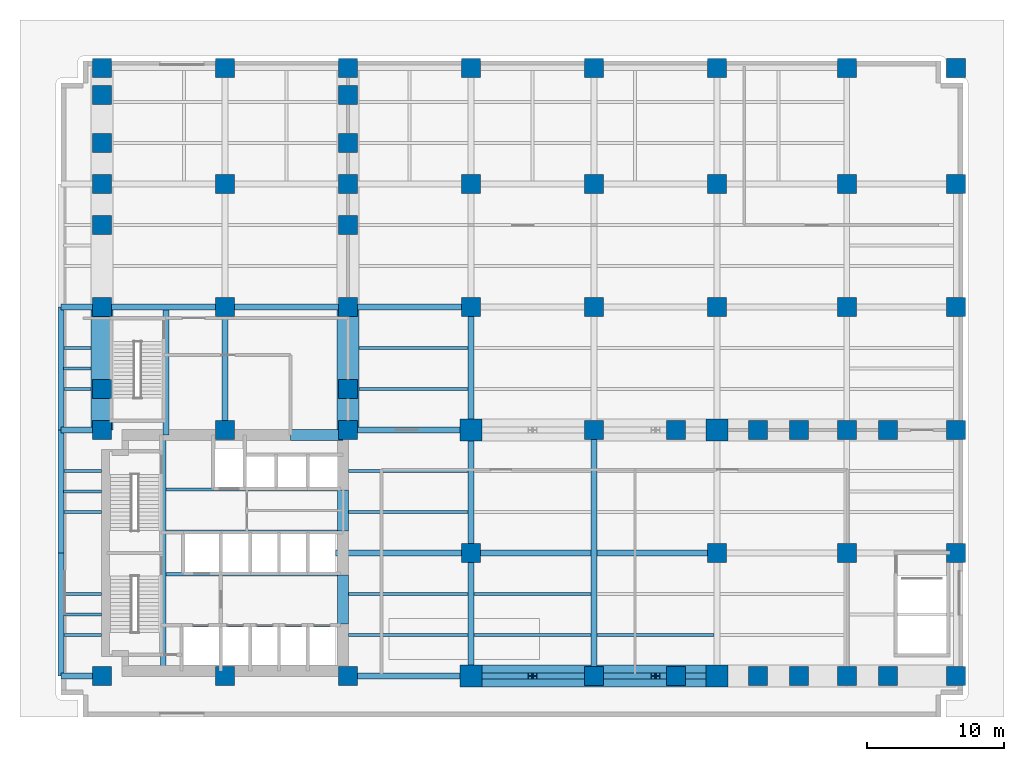
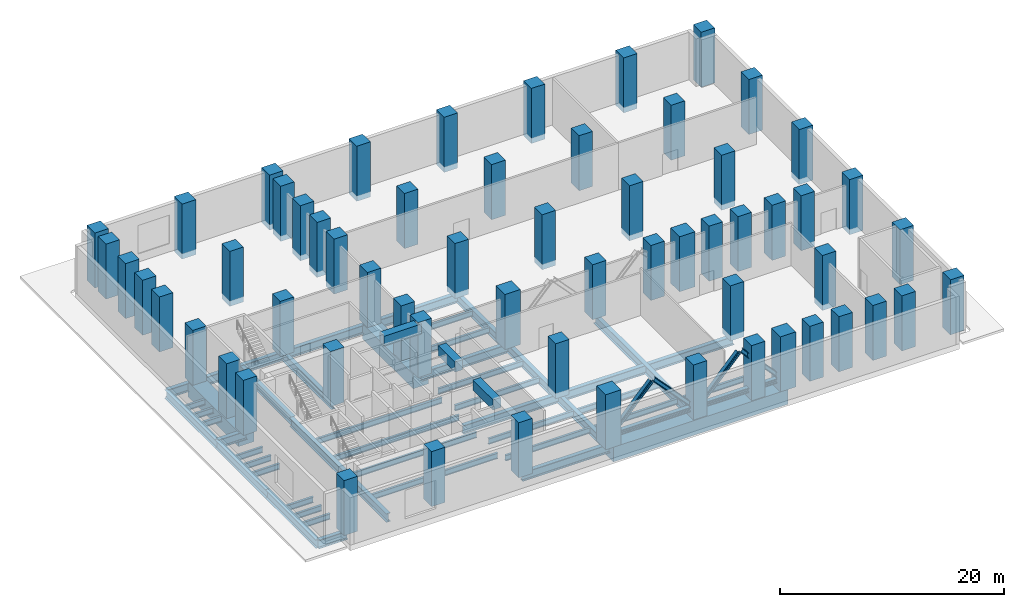
# One storey, part 1 of 8: 60 columns, 48 beams, 5 members.
"""IFC4 building model written with IfcOpenShell, lengths in metres."""

from ifc_helpers import new_model, si_unit, direction, frame, origin, origin_2d, place, context, subcontext, project, spatial, rectangle, i_section, extrude, material, material_profile, profile_set, type_object, element, save


model = new_model("IFC4")

# Units and contexts
model_context = context("Model", 3, precision=1e-05, world=origin(), true_north=direction((0.0, 1.0)))
body_context = subcontext(model_context, "Body", "Model", "MODEL_VIEW")
ifc_project = project(units=[si_unit("LENGTHUNIT", "METRE"), si_unit("AREAUNIT", "SQUARE_METRE"), si_unit("VOLUMEUNIT", "CUBIC_METRE"), si_unit("PLANEANGLEUNIT", "RADIAN"), si_unit("MASSUNIT", "GRAM", prefix="KILO")], contexts=[model_context])

# Site, building, storey
site_placement = place(None, origin())
site = spatial("IfcSite", under=ifc_project, at=site_placement, CompositionType="ELEMENT")
building_placement = place(site_placement, origin())
building = spatial("IfcBuilding", under=site, at=building_placement, Name="Mawjdan Bourse Tower", CompositionType="ELEMENT")
storey_placement = place(building_placement, frame((0.0, 0.0, 16.199951171875)))
storey = spatial("IfcBuildingStorey", under=building, at=storey_placement, Name="L03", CompositionType="ELEMENT", Elevation=16.199951171875)

# Columns
ifc_material_1 = material(Name="Concrete C80/95", Category="concrete")
ifc_material_profile_1 = material_profile(ifc_material_1, rectangle(XDim=1.39990234375, YDim=1.39990234375, at=origin_2d()), Name="RC1400X1400")
ifc_profile_set_1 = profile_set([ifc_material_profile_1], Name="Concrete C80/95")
column_type_1 = type_object("IfcColumnType", Name="COL-RC1400X1400", PredefinedType="COLUMN", material=ifc_profile_set_1)
for number, where, z_axis, x_axis, name in (
    (1, (6.0, 3.0, -0.599853515625), (0.0, 0.0, 1.0), (1.0, 0.0, 0.0), "L03 Structural Column C-X60-Y30"),
    (2, (6.0, 21.0, -0.599853515625), (0.0, 0.0, 1.0), (1.0, 0.0, 0.0), "L03 Structural Column C-X60-Y210"),
    (3, (6.0, 30.0, -0.599853515625), (0.0, 0.0, 1.0), (1.0, 0.0, 0.0), "L03 Structural Column C-X60-Y300"),
    (4, (6.0, 39.0, -0.599853515625), (0.0, 0.0, 1.0), (1.0, 0.0, 0.0), "L03 Structural Column C-X60-Y390"),
    (5, (6.0, 47.5, -0.599853515625), (0.0, 0.0, 1.0), (1.0, 0.0, 0.0), "L03 Structural Column C-X60-Y475"),
    (6, (15.0, 3.0, -0.599853515625), (0.0, 0.0, 1.0), (1.0, 0.0, 0.0), "L03 Structural Column C-X150-Y30"),
    (7, (15.0, 21.0, -0.599853515625), (0.0, 0.0, 1.0), (1.0, 0.0, 0.0), "L03 Structural Column C-X150-Y210"),
    (8, (15.0, 30.0, -0.599853515625), (0.0, 0.0, 1.0), (1.0, 0.0, 0.0), "L03 Structural Column C-X150-Y300"),
    (9, (15.0, 39.0, -0.599853515625), (0.0, 0.0, 1.0), (1.0, 0.0, 0.0), "L03 Structural Column C-X150-Y390"),
    (10, (15.0, 47.5, -0.599853515625), (0.0, 0.0, 1.0), (1.0, 0.0, 0.0), "L03 Structural Column C-X150-Y475"),
    (11, (24.0, 3.0, -0.599853515625), (0.0, 0.0, 1.0), (1.0, 0.0, 0.0), "L03 Structural Column C-X240-Y30"),
    (12, (24.0, 21.0, -0.599853515625), (0.0, 0.0, 1.0), (1.0, 0.0, 0.0), "L03 Structural Column C-X240-Y210"),
    (13, (24.0, 30.0, -0.599853515625), (0.0, 0.0, 1.0), (1.0, 0.0, 0.0), "L03 Structural Column C-X240-Y300"),
    (14, (24.0, 39.0, -0.599853515625), (0.0, 0.0, 1.0), (1.0, 0.0, 0.0), "L03 Structural Column C-X240-Y390"),
    (15, (24.0, 47.5, -0.599853515625), (0.0, 0.0, 1.0), (1.0, 0.0, 0.0), "L03 Structural Column C-X240-Y475"),
    (16, (33.0, 12.0, -0.599853515625), (0.0, 0.0, 1.0), (1.0, 0.0, 0.0), "L03 Structural Column C-X330-Y120"),
    (17, (33.0, 30.0, -0.599853515625), (0.0, 0.0, 1.0), (1.0, 0.0, 0.0), "L03 Structural Column C-X330-Y300"),
    (18, (33.0, 39.0, -0.599853515625), (0.0, 0.0, 1.0), (1.0, 0.0, 0.0), "L03 Structural Column C-X330-Y390"),
    (19, (33.0, 47.5, -0.599853515625), (0.0, 0.0, 1.0), (1.0, 0.0, 0.0), "L03 Structural Column C-X330-Y475"),
    (20, (42.0, 3.0, -0.599853515625), (0.0, 0.0, 1.0), (1.0, 0.0, 0.0), "L03 Structural Column C-X420-Y30"),
    (21, (42.0, 21.0, -0.599853515625), (0.0, 0.0, 1.0), (1.0, 0.0, 0.0), "L03 Structural Column C-X420-Y210"),
    (22, (42.0, 30.0, -0.599853515625), (0.0, 0.0, 1.0), (1.0, 0.0, 0.0), "L03 Structural Column C-X420-Y300"),
    (23, (42.0, 39.0, -0.599853515625), (0.0, 0.0, 1.0), (1.0, 0.0, 0.0), "L03 Structural Column C-X420-Y390"),
    (24, (42.0, 47.5, -0.599853515625), (0.0, 0.0, 1.0), (1.0, 0.0, 0.0), "L03 Structural Column C-X420-Y475"),
    (25, (51.0, 12.0, -0.599853515625), (0.0, 0.0, 1.0), (1.0, 0.0, 0.0), "L03 Structural Column C-X510-Y120"),
    (26, (51.0, 30.0, -0.599853515625), (0.0, 0.0, 1.0), (1.0, 0.0, 0.0), "L03 Structural Column C-X510-Y300"),
    (27, (51.0, 39.0, -0.599853515625), (0.0, 0.0, 1.0), (1.0, 0.0, 0.0), "L03 Structural Column C-X510-Y390"),
    (28, (51.0, 47.5, -0.599853515625), (0.0, 0.0, 1.0), (1.0, 0.0, 0.0), "L03 Structural Column C-X510-Y475"),
    (29, (60.5, 3.0, -0.599853515625), (0.0, 0.0, 1.0), (1.0, 0.0, 0.0), "L03 Structural Column C-X605-Y30"),
    (30, (60.5, 12.0, -0.599853515625), (0.0, 0.0, 1.0), (1.0, 0.0, 0.0), "L03 Structural Column C-X605-Y120"),
    (31, (60.5, 21.0, -0.599853515625), (0.0, 0.0, 1.0), (1.0, 0.0, 0.0), "L03 Structural Column C-X605-Y210"),
    (32, (60.5, 30.0, -0.599853515625), (0.0, 0.0, 1.0), (1.0, 0.0, 0.0), "L03 Structural Column C-X605-Y300"),
    (33, (60.5, 39.0, -0.599853515625), (0.0, 0.0, 1.0), (1.0, 0.0, 0.0), "L03 Structural Column C-X605-Y390"),
    (34, (60.5, 47.5, -0.599853515625), (0.0, 0.0, 1.0), (1.0, 0.0, 0.0), "L03 Structural Column C-X605-Y475"),
    (35, (68.5, 3.0, -0.599853515625), (0.0, 0.0, 1.0), (1.0, 0.0, 0.0), "L03 Structural Column C-X685-Y30"),
    (36, (68.5, 12.0, -0.599853515625), (0.0, 0.0, 1.0), (1.0, 0.0, 0.0), "L03 Structural Column C-X685-Y120"),
    (37, (68.5, 21.0, -0.599853515625), (0.0, 0.0, 1.0), (1.0, 0.0, 0.0), "L03 Structural Column C-X685-Y210"),
    (38, (68.5, 30.0, -0.599853515625), (0.0, 0.0, 1.0), (1.0, 0.0, 0.0), "L03 Structural Column C-X685-Y300"),
    (39, (68.5, 39.0, -0.599853515625), (0.0, 0.0, 1.0), (1.0, 0.0, 0.0), "L03 Structural Column C-X685-Y390"),
    (40, (68.5, 47.5, -0.599853515625), (0.0, 0.0, 1.0), (1.0, 0.0, 0.0), "L03 Structural Column C-X685-Y475"),
    (41, (48.0, 3.0, -0.599853515625), (0.0, 0.0, 1.0), (1.0, 0.0, 0.0), "L03 Structural Column C-X480-Y30"),
    (42, (48.0, 21.0, -0.599853515625), (0.0, 0.0, 1.0), (1.0, 0.0, 0.0), "L03 Structural Column C-X480-Y210"),
    (43, (54.0, 3.0, -0.599853515625), (0.0, 0.0, 1.0), (1.0, 0.0, 0.0), "L03 Structural Column C-X540-Y30"),
    (44, (54.0, 21.0, -0.599853515625), (0.0, 0.0, 1.0), (1.0, 0.0, 0.0), "L03 Structural Column C-X540-Y210"),
    (45, (57.0, 3.0, -0.599853515625), (0.0, 0.0, 1.0), (1.0, 0.0, 0.0), "L03 Structural Column C-X570-Y30"),
    (46, (57.0, 21.0, -0.599853515625), (0.0, 0.0, 1.0), (1.0, 0.0, 0.0), "L03 Structural Column C-X570-Y210"),
    (47, (63.5, 3.0, -0.599853515625), (0.0, 0.0, 1.0), (1.0, 0.0, 0.0), "L03 Structural Column C-X635-Y30"),
    (48, (63.5, 21.0, -0.599853515625), (0.0, 0.0, 1.0), (1.0, 0.0, 0.0), "L03 Structural Column C-X635-Y210"),
    (49, (6.0, 24.0, -0.599853515625), (0.0, 0.0, 1.0), (1.0, 0.0, 0.0), "L03 Structural Column C-X60-Y240"),
    (50, (24.0, 24.0, -0.599853515625), (0.0, 0.0, 1.0), (1.0, 0.0, 0.0), "L03 Structural Column C-X240-Y240"),
    (51, (6.0, 36.0, -0.599853515625), (0.0, 0.0, 1.0), (1.0, 0.0, 0.0), "L03 Structural Column C-X60-Y360"),
    (52, (24.0, 36.0, -0.599853515625), (0.0, 0.0, 1.0), (1.0, 0.0, 0.0), "L03 Structural Column C-X240-Y360"),
    (53, (6.0, 42.0, -0.599853515625), (0.0, 0.0, 1.0), (1.0, 0.0, 0.0), "L03 Structural Column C-X60-Y420"),
    (54, (24.0, 42.0, -0.599853515625), (0.0, 0.0, 1.0), (1.0, 0.0, 0.0), "L03 Structural Column C-X240-Y420"),
    (55, (6.0, 45.5, -0.599853515625), (0.0, 0.0, 1.0), (1.0, 0.0, 0.0), "L03 Structural Column C-X60-Y455"),
    (56, (24.0, 45.5, -0.599853515625), (0.0, 0.0, 1.0), (1.0, 0.0, 0.0), "L03 Structural Column C-X240-Y455"),
):
    element("IfcColumn", number, at=place(storey_placement, frame(where, z_axis=z_axis, x_axis=x_axis)), inside=storey, type_object=column_type_1, Name=name, PredefinedType="COLUMN", context=body_context, shape_type="SweptSolid", body=[
        extrude(rectangle(XDim=1.39990234375, YDim=1.39990234375, at=origin_2d()), origin(), (0.0, 0.0, 1.0), 6.0),
    ])
ifc_material_profile_2 = material_profile(ifc_material_1, rectangle(XDim=1.60009765625, YDim=1.60009765625, at=origin_2d()), Name="RC1600X1600")
ifc_profile_set_2 = profile_set([ifc_material_profile_2], Name="Concrete C80/95")
column_type_2 = type_object("IfcColumnType", Name="COL-RC1600X1600", PredefinedType="COLUMN", material=ifc_profile_set_2)
for number, where, z_axis, x_axis, name in (
    (57, (33.0, 3.0, -0.599853515625), (0.0, 0.0, 1.0), (1.0, 0.0, 0.0), "L03 Structural Column C-X330-Y30"),
    (58, (33.0, 21.0, -0.599853515625), (0.0, 0.0, 1.0), (1.0, 0.0, 0.0), "L03 Structural Column C-X330-Y210"),
    (59, (51.0, 3.0, -0.599853515625), (0.0, 0.0, 1.0), (1.0, 0.0, 0.0), "L03 Structural Column C-X510-Y30"),
    (60, (51.0, 21.0, -0.599853515625), (0.0, 0.0, 1.0), (1.0, 0.0, 0.0), "L03 Structural Column C-X510-Y210"),
):
    element("IfcColumn", number, at=place(storey_placement, frame(where, z_axis=z_axis, x_axis=x_axis)), inside=storey, type_object=column_type_2, Name=name, PredefinedType="COLUMN", context=body_context, shape_type="SweptSolid", body=[
        extrude(rectangle(XDim=1.60009765625, YDim=1.60009765625, at=origin_2d()), origin(), (0.0, 0.0, 1.0), 6.0),
    ])

# Members
ifc_material_2 = material(Name="Structural Steel S460", Category="steel")
ifc_material_profile_3 = material_profile(ifc_material_2, i_section(OverallWidth=0.406005859375, OverallDepth=0.416015625, WebThickness=0.02978515625, FlangeThickness=0.048095703125, FilletRadius=0.038330078125, at=origin_2d()), Name="W14X257")
ifc_profile_set_3 = profile_set([ifc_material_profile_3], Name="Structural Steel S460")
member_type_1 = type_object("IfcMemberType", Name="BRC-W14X257", PredefinedType="BRACE", material=ifc_profile_set_3)
for number, where, z_axis, x_axis, name in (
    (61, (33.179931640625, 3.0, 0.25), (0.682805863552, 0.0, 0.730599858129), (0.0, 1.0, 0.0), "L03 Tied-Arch Transfer Truss S Diagonal 1"),
    (62, (37.679931640625, 3.0, 4.679931640625), (0.682805863552, 0.0, -0.730599858129), (0.0, 1.0, 0.0), "L03 Tied-Arch Transfer Truss S Diagonal 2"),
    (63, (42.179931640625, 3.0, 0.25), (0.682805863552, 0.0, 0.730599858129), (0.0, 1.0, 0.0), "L03 Tied-Arch Transfer Truss S Diagonal 3"),
    (64, (46.679931640625, 3.0, 4.679931640625), (0.682805863552, 0.0, -0.730599858129), (0.0, 1.0, 0.0), "L03 Tied-Arch Transfer Truss S Diagonal 4"),
):
    element("IfcMember", number, at=place(storey_placement, frame(where, z_axis=z_axis, x_axis=x_axis)), inside=storey, type_object=member_type_1, Name=name, PredefinedType="BRACE", context=body_context, shape_type="SweptSolid", body=[
        extrude(i_section(OverallWidth=0.406005859375, OverallDepth=0.416015625, WebThickness=0.02978515625, FlangeThickness=0.048095703125, FilletRadius=0.038330078125, at=origin_2d()), origin(), (0.0, 0.0, 1.0), 6.0634765625),
    ])
ifc_material_profile_4 = material_profile(ifc_material_2, i_section(OverallWidth=0.431884765625, OverallDepth=0.498046875, WebThickness=0.0556640625, FlangeThickness=0.0888671875, FilletRadius=0.071044921875, at=origin_2d()), Name="W14X500")
ifc_profile_set_4 = profile_set([ifc_material_profile_4], Name="Structural Steel S460")
member_type_2 = type_object("IfcMemberType", Name="CHD-W14X500", PredefinedType="CHORD", material=ifc_profile_set_4)
member_placement = place(storey_placement, frame((33.0, 3.0, 0.25), z_axis=(1.0, 0.0, 0.0), x_axis=(0.0, 1.0, 0.0)))
element("IfcMember", 65, at=member_placement, inside=storey, type_object=member_type_2, Name="L03 Tied-Arch Transfer Truss S Bottom Chord", PredefinedType="CHORD", context=body_context, shape_type="SweptSolid", body=[
    extrude(i_section(OverallWidth=0.431884765625, OverallDepth=0.498046875, WebThickness=0.0556640625, FlangeThickness=0.0888671875, FilletRadius=0.071044921875, at=origin_2d()), origin(), (0.0, 0.0, 1.0), 18.0),
])

# Beams
ifc_material_profile_5 = material_profile(ifc_material_2, i_section(OverallWidth=0.423095703125, OverallDepth=0.93994140625, WebThickness=0.02392578125, FlangeThickness=0.042724609375, FilletRadius=0.0341796875, at=origin_2d()), Name="W36X302")
ifc_profile_set_5 = profile_set([ifc_material_profile_5], Name="Structural Steel S460")
beam_type_1 = type_object("IfcBeamType", Name="GRD-W36X302", PredefinedType="BEAM", material=ifc_profile_set_5)
beam_1_placement = place(storey_placement, frame((10.47998046875, 3.35009765625, -1.070068359375), z_axis=(0.0, 1.0, 0.0), x_axis=(-1.0, 0.0, 0.0)))
element("IfcBeam", 66, at=beam_1_placement, inside=storey, type_object=beam_type_1, Name="L03 Core Stair Trimmer Girder 001", PredefinedType="BEAM", context=body_context, shape_type="SweptSolid", body=[
    extrude(i_section(OverallWidth=0.423095703125, OverallDepth=0.93994140625, WebThickness=0.02392578125, FlangeThickness=0.042724609375, FilletRadius=0.0341796875, at=origin_2d()), origin(), (0.0, 0.0, 1.0), 17.2998046875),
])
beam_2_placement = place(storey_placement, frame((10.679931640625, 20.64990234375, -1.070068359375), z_axis=(0.0, 1.0, 0.0), x_axis=(-1.0, 0.0, 0.0)))
element("IfcBeam", 67, at=beam_2_placement, inside=storey, type_object=beam_type_1, Name="L03 North Stair Trimmer Girder 002", PredefinedType="BEAM", context=body_context, shape_type="SweptSolid", body=[
    extrude(i_section(OverallWidth=0.423095703125, OverallDepth=0.93994140625, WebThickness=0.02392578125, FlangeThickness=0.042724609375, FilletRadius=0.0341796875, at=origin_2d()), origin(), (0.0, 0.0, 1.0), 9.140625),
])
for number, where, z_axis, x_axis, name in (
    (68, (3.0, 3.0, -1.070068359375), (0.0, 1.0, 0.0), (-1.0, 0.0, 0.0), "L03 Podium Primary Girder 017"),
    (69, (3.0, 12.0, -1.070068359375), (0.0, 1.0, 0.0), (-1.0, 0.0, 0.0), "L03 Podium Primary Girder 018"),
    (70, (3.0, 21.0, -1.070068359375), (0.0, 1.0, 0.0), (-1.0, 0.0, 0.0), "L03 Podium Primary Girder 019"),
    (71, (15.0, 21.0, -1.070068359375), (0.0, 1.0, 0.0), (-1.0, 0.0, 0.0), "L03 Podium Primary Girder 024"),
    (72, (33.0, 3.0, -1.070068359375), (0.0, 1.0, 0.0), (-1.0, 0.0, 0.0), "L03 Podium Primary Girder 030"),
    (73, (33.0, 12.0, -1.070068359375), (0.0, 1.0, 0.0), (-1.0, 0.0, 0.0), "L03 Podium Primary Girder 031"),
    (74, (33.0, 21.0, -1.070068359375), (0.0, 1.0, 0.0), (-1.0, 0.0, 0.0), "L03 Podium Primary Girder 032"),
):
    element("IfcBeam", number, at=place(storey_placement, frame(where, z_axis=z_axis, x_axis=x_axis)), inside=storey, type_object=beam_type_1, Name=name, PredefinedType="BEAM", context=body_context, shape_type="SweptSolid", body=[
        extrude(i_section(OverallWidth=0.423095703125, OverallDepth=0.93994140625, WebThickness=0.02392578125, FlangeThickness=0.042724609375, FilletRadius=0.0341796875, at=origin_2d()), origin(), (0.0, 0.0, 1.0), 9.0),
    ])
beam_3_placement = place(storey_placement, frame((42.0, 3.0, -1.070068359375), z_axis=(0.0, 1.0, 0.0), x_axis=(-1.0, 0.0, 0.0)))
element("IfcBeam", 75, at=beam_3_placement, inside=storey, type_object=beam_type_1, Name="L03 Podium Primary Girder 035", PredefinedType="BEAM", context=body_context, shape_type="SweptSolid", body=[
    extrude(i_section(OverallWidth=0.423095703125, OverallDepth=0.93994140625, WebThickness=0.02392578125, FlangeThickness=0.042724609375, FilletRadius=0.0341796875, at=origin_2d()), origin(), (0.0, 0.0, 1.0), 18.0),
])
beam_4_placement = place(storey_placement, frame((3.0, 3.0, -1.070068359375), z_axis=(1.0, 0.0, 0.0), x_axis=(0.0, 1.0, 0.0)))
element("IfcBeam", 76, at=beam_4_placement, inside=storey, type_object=beam_type_1, Name="L03 Podium Tie Girder 053", PredefinedType="BEAM", context=body_context, shape_type="SweptSolid", body=[
    extrude(i_section(OverallWidth=0.423095703125, OverallDepth=0.93994140625, WebThickness=0.02392578125, FlangeThickness=0.042724609375, FilletRadius=0.0341796875, at=origin_2d()), origin(), (0.0, 0.0, 1.0), 3.0),
])
beam_5_placement = place(storey_placement, frame((24.0, 3.0, -1.070068359375), z_axis=(1.0, 0.0, 0.0), x_axis=(0.0, 1.0, 0.0)))
element("IfcBeam", 77, at=beam_5_placement, inside=storey, type_object=beam_type_1, Name="L03 Podium Tie Girder 054", PredefinedType="BEAM", context=body_context, shape_type="SweptSolid", body=[
    extrude(i_section(OverallWidth=0.423095703125, OverallDepth=0.93994140625, WebThickness=0.02392578125, FlangeThickness=0.042724609375, FilletRadius=0.0341796875, at=origin_2d()), origin(), (0.0, 0.0, 1.0), 9.0),
])
beam_6_placement = place(storey_placement, frame((23.10009765625, 12.0, -1.070068359375), z_axis=(1.0, 0.0, 0.0), x_axis=(0.0, 1.0, 0.0)))
element("IfcBeam", 78, at=beam_6_placement, inside=storey, type_object=beam_type_1, Name="L03 Podium Tie Girder 058", PredefinedType="BEAM", context=body_context, shape_type="SweptSolid", body=[
    extrude(i_section(OverallWidth=0.423095703125, OverallDepth=0.93994140625, WebThickness=0.02392578125, FlangeThickness=0.042724609375, FilletRadius=0.0341796875, at=origin_2d()), origin(), (0.0, 0.0, 1.0), 9.89990234375),
])
beam_7_placement = place(storey_placement, frame((33.0, 12.0, -1.070068359375), z_axis=(1.0, 0.0, 0.0), x_axis=(0.0, 1.0, 0.0)))
element("IfcBeam", 79, at=beam_7_placement, inside=storey, type_object=beam_type_1, Name="L03 Podium Tie Girder 059", PredefinedType="BEAM", context=body_context, shape_type="SweptSolid", body=[
    extrude(i_section(OverallWidth=0.423095703125, OverallDepth=0.93994140625, WebThickness=0.02392578125, FlangeThickness=0.042724609375, FilletRadius=0.0341796875, at=origin_2d()), origin(), (0.0, 0.0, 1.0), 18.0),
])
beam_8_placement = place(storey_placement, frame((3.0, 21.0, -1.070068359375), z_axis=(1.0, 0.0, 0.0), x_axis=(0.0, 1.0, 0.0)))
element("IfcBeam", 80, at=beam_8_placement, inside=storey, type_object=beam_type_1, Name="L03 Podium Tie Girder 062", PredefinedType="BEAM", context=body_context, shape_type="SweptSolid", body=[
    extrude(i_section(OverallWidth=0.423095703125, OverallDepth=0.93994140625, WebThickness=0.02392578125, FlangeThickness=0.042724609375, FilletRadius=0.0341796875, at=origin_2d()), origin(), (0.0, 0.0, 1.0), 3.0),
])
beam_9_placement = place(storey_placement, frame((24.0, 21.0, -1.070068359375), z_axis=(1.0, 0.0, 0.0), x_axis=(0.0, 1.0, 0.0)))
element("IfcBeam", 81, at=beam_9_placement, inside=storey, type_object=beam_type_1, Name="L03 Podium Tie Girder 063", PredefinedType="BEAM", context=body_context, shape_type="SweptSolid", body=[
    extrude(i_section(OverallWidth=0.423095703125, OverallDepth=0.93994140625, WebThickness=0.02392578125, FlangeThickness=0.042724609375, FilletRadius=0.0341796875, at=origin_2d()), origin(), (0.0, 0.0, 1.0), 9.0),
])
beam_10_placement = place(storey_placement, frame((3.0, 30.0, -1.070068359375), z_axis=(1.0, 0.0, 0.0), x_axis=(0.0, 1.0, 0.0)))
element("IfcBeam", 82, at=beam_10_placement, inside=storey, type_object=beam_type_1, Name="L03 Podium Tie Girder 067", PredefinedType="BEAM", context=body_context, shape_type="SweptSolid", body=[
    extrude(i_section(OverallWidth=0.423095703125, OverallDepth=0.93994140625, WebThickness=0.02392578125, FlangeThickness=0.042724609375, FilletRadius=0.0341796875, at=origin_2d()), origin(), (0.0, 0.0, 1.0), 3.0),
])
for number, where, z_axis, x_axis, name in (
    (83, (6.35009765625, 30.0, -1.070068359375), (1.0, 0.0, 0.0), (0.0, 1.0, 0.0), "L03 Podium Tie Girder 068"),
    (84, (15.0, 30.0, -1.070068359375), (1.0, 0.0, 0.0), (0.0, 1.0, 0.0), "L03 Podium Tie Girder 069"),
):
    element("IfcBeam", number, at=place(storey_placement, frame(where, z_axis=z_axis, x_axis=x_axis)), inside=storey, type_object=beam_type_1, Name=name, PredefinedType="BEAM", context=body_context, shape_type="SweptSolid", body=[
        extrude(i_section(OverallWidth=0.423095703125, OverallDepth=0.93994140625, WebThickness=0.02392578125, FlangeThickness=0.042724609375, FilletRadius=0.0341796875, at=origin_2d()), origin(), (0.0, 0.0, 1.0), 8.64990234375),
    ])
beam_11_placement = place(storey_placement, frame((24.0, 30.0, -1.070068359375), z_axis=(1.0, 0.0, 0.0), x_axis=(0.0, 1.0, 0.0)))
element("IfcBeam", 85, at=beam_11_placement, inside=storey, type_object=beam_type_1, Name="L03 Podium Tie Girder 070", PredefinedType="BEAM", context=body_context, shape_type="SweptSolid", body=[
    extrude(i_section(OverallWidth=0.423095703125, OverallDepth=0.93994140625, WebThickness=0.02392578125, FlangeThickness=0.042724609375, FilletRadius=0.0341796875, at=origin_2d()), origin(), (0.0, 0.0, 1.0), 9.0),
])
ifc_material_3 = material(Name="Structural Steel S355", Category="steel")
ifc_material_profile_6 = material_profile(ifc_material_3, i_section(OverallWidth=0.22998046875, OverallDepth=0.616943359375, WebThickness=0.01318359375, FlangeThickness=0.022216796875, FilletRadius=0.017822265625, at=origin_2d()), Name="W24X94")
ifc_profile_set_6 = profile_set([ifc_material_profile_6], Name="Structural Steel S355")
beam_type_2 = type_object("IfcBeamType", Name="JST-W24X94", PredefinedType="JOIST", material=ifc_profile_set_6)
for number, where, z_axis, x_axis, name in (
    (86, (3.199951171875, 7.5, -0.908447265625), (1.0, 0.0, 0.0), (0.0, 1.0, 0.0), "L03 L03 West Setback Joist 003"),
    (87, (3.199951171875, 16.5, -0.908447265625), (1.0, 0.0, 0.0), (0.0, 1.0, 0.0), "L03 L03 West Setback Joist 005"),
):
    element("IfcBeam", number, at=place(storey_placement, frame(where, z_axis=z_axis, x_axis=x_axis)), inside=storey, type_object=beam_type_2, Name=name, PredefinedType="JOIST", context=body_context, shape_type="SweptSolid", body=[
        extrude(i_section(OverallWidth=0.22998046875, OverallDepth=0.616943359375, WebThickness=0.01318359375, FlangeThickness=0.022216796875, FilletRadius=0.017822265625, at=origin_2d()), origin(), (0.0, 0.0, 1.0), 2.760009765625),
    ])
beam_12_placement = place(storey_placement, frame((3.199951171875, 25.5, -0.908447265625), z_axis=(1.0, 0.0, 0.0), x_axis=(0.0, 1.0, 0.0)))
element("IfcBeam", 88, at=beam_12_placement, inside=storey, type_object=beam_type_2, Name="L03 L03 West Setback Joist 007", PredefinedType="JOIST", context=body_context, shape_type="SweptSolid", body=[
    extrude(i_section(OverallWidth=0.22998046875, OverallDepth=0.616943359375, WebThickness=0.01318359375, FlangeThickness=0.022216796875, FilletRadius=0.017822265625, at=origin_2d()), origin(), (0.0, 0.0, 1.0), 2.001953125),
])
beam_13_placement = place(storey_placement, frame((3.20947265625, 6.0, -0.908447265625), z_axis=(1.0, 0.0, 0.0), x_axis=(0.0, 1.0, 0.0)))
element("IfcBeam", 89, at=beam_13_placement, inside=storey, type_object=beam_type_2, Name="L03 Composite Floor Joist 089", PredefinedType="JOIST", context=body_context, shape_type="SweptSolid", body=[
    extrude(i_section(OverallWidth=0.22998046875, OverallDepth=0.616943359375, WebThickness=0.01318359375, FlangeThickness=0.022216796875, FilletRadius=0.017822265625, at=origin_2d()), origin(), (0.0, 0.0, 1.0), 2.75048828125),
])
beam_14_placement = place(storey_placement, frame((24.0400390625, 6.0, -0.908447265625), z_axis=(1.0, 0.0, 0.0), x_axis=(0.0, 1.0, 0.0)))
element("IfcBeam", 90, at=beam_14_placement, inside=storey, type_object=beam_type_2, Name="L03 Composite Floor Joist 090", PredefinedType="JOIST", context=body_context, shape_type="SweptSolid", body=[
    extrude(i_section(OverallWidth=0.22998046875, OverallDepth=0.616943359375, WebThickness=0.01318359375, FlangeThickness=0.022216796875, FilletRadius=0.017822265625, at=origin_2d()), origin(), (0.0, 0.0, 1.0), 8.75048828125),
])
for number, where, z_axis, x_axis, name in (
    (91, (33.20947265625, 6.0, -0.908447265625), (1.0, 0.0, 0.0), (0.0, 1.0, 0.0), "L03 Composite Floor Joist 091"),
    (92, (42.20947265625, 6.0, -0.908447265625), (1.0, 0.0, 0.0), (0.0, 1.0, 0.0), "L03 Composite Floor Joist 092"),
):
    element("IfcBeam", number, at=place(storey_placement, frame(where, z_axis=z_axis, x_axis=x_axis)), inside=storey, type_object=beam_type_2, Name=name, PredefinedType="JOIST", context=body_context, shape_type="SweptSolid", body=[
        extrude(i_section(OverallWidth=0.22998046875, OverallDepth=0.616943359375, WebThickness=0.01318359375, FlangeThickness=0.022216796875, FilletRadius=0.017822265625, at=origin_2d()), origin(), (0.0, 0.0, 1.0), 8.5810546875),
    ])
beam_15_placement = place(storey_placement, frame((3.20947265625, 9.0, -0.908447265625), z_axis=(1.0, 0.0, 0.0), x_axis=(0.0, 1.0, 0.0)))
element("IfcBeam", 93, at=beam_15_placement, inside=storey, type_object=beam_type_2, Name="L03 Composite Floor Joist 094", PredefinedType="JOIST", context=body_context, shape_type="SweptSolid", body=[
    extrude(i_section(OverallWidth=0.22998046875, OverallDepth=0.616943359375, WebThickness=0.01318359375, FlangeThickness=0.022216796875, FilletRadius=0.017822265625, at=origin_2d()), origin(), (0.0, 0.0, 1.0), 2.75048828125),
])
beam_16_placement = place(storey_placement, frame((24.0400390625, 9.0, -0.908447265625), z_axis=(1.0, 0.0, 0.0), x_axis=(0.0, 1.0, 0.0)))
element("IfcBeam", 94, at=beam_16_placement, inside=storey, type_object=beam_type_2, Name="L03 Composite Floor Joist 095", PredefinedType="JOIST", context=body_context, shape_type="SweptSolid", body=[
    extrude(i_section(OverallWidth=0.22998046875, OverallDepth=0.616943359375, WebThickness=0.01318359375, FlangeThickness=0.022216796875, FilletRadius=0.017822265625, at=origin_2d()), origin(), (0.0, 0.0, 1.0), 8.75048828125),
])
beam_17_placement = place(storey_placement, frame((33.20947265625, 9.0, -0.908447265625), z_axis=(1.0, 0.0, 0.0), x_axis=(0.0, 1.0, 0.0)))
element("IfcBeam", 95, at=beam_17_placement, inside=storey, type_object=beam_type_2, Name="L03 Composite Floor Joist 096", PredefinedType="JOIST", context=body_context, shape_type="SweptSolid", body=[
    extrude(i_section(OverallWidth=0.22998046875, OverallDepth=0.616943359375, WebThickness=0.01318359375, FlangeThickness=0.022216796875, FilletRadius=0.017822265625, at=origin_2d()), origin(), (0.0, 0.0, 1.0), 8.5810546875),
])
beam_18_placement = place(storey_placement, frame((3.20947265625, 15.0, -0.908447265625), z_axis=(1.0, 0.0, 0.0), x_axis=(0.0, 1.0, 0.0)))
element("IfcBeam", 96, at=beam_18_placement, inside=storey, type_object=beam_type_2, Name="L03 Composite Floor Joist 099", PredefinedType="JOIST", context=body_context, shape_type="SweptSolid", body=[
    extrude(i_section(OverallWidth=0.22998046875, OverallDepth=0.616943359375, WebThickness=0.01318359375, FlangeThickness=0.022216796875, FilletRadius=0.017822265625, at=origin_2d()), origin(), (0.0, 0.0, 1.0), 2.75048828125),
])
beam_19_placement = place(storey_placement, frame((24.0400390625, 15.0, -0.908447265625), z_axis=(1.0, 0.0, 0.0), x_axis=(0.0, 1.0, 0.0)))
element("IfcBeam", 97, at=beam_19_placement, inside=storey, type_object=beam_type_2, Name="L03 Composite Floor Joist 100", PredefinedType="JOIST", context=body_context, shape_type="SweptSolid", body=[
    extrude(i_section(OverallWidth=0.22998046875, OverallDepth=0.616943359375, WebThickness=0.01318359375, FlangeThickness=0.022216796875, FilletRadius=0.017822265625, at=origin_2d()), origin(), (0.0, 0.0, 1.0), 8.75048828125),
])
beam_20_placement = place(storey_placement, frame((3.20947265625, 18.0, -0.908447265625), z_axis=(1.0, 0.0, 0.0), x_axis=(0.0, 1.0, 0.0)))
element("IfcBeam", 98, at=beam_20_placement, inside=storey, type_object=beam_type_2, Name="L03 Composite Floor Joist 105", PredefinedType="JOIST", context=body_context, shape_type="SweptSolid", body=[
    extrude(i_section(OverallWidth=0.22998046875, OverallDepth=0.616943359375, WebThickness=0.01318359375, FlangeThickness=0.022216796875, FilletRadius=0.017822265625, at=origin_2d()), origin(), (0.0, 0.0, 1.0), 2.75048828125),
])
beam_21_placement = place(storey_placement, frame((24.0400390625, 18.0, -0.908447265625), z_axis=(1.0, 0.0, 0.0), x_axis=(0.0, 1.0, 0.0)))
element("IfcBeam", 99, at=beam_21_placement, inside=storey, type_object=beam_type_2, Name="L03 Composite Floor Joist 106", PredefinedType="JOIST", context=body_context, shape_type="SweptSolid", body=[
    extrude(i_section(OverallWidth=0.22998046875, OverallDepth=0.616943359375, WebThickness=0.01318359375, FlangeThickness=0.022216796875, FilletRadius=0.017822265625, at=origin_2d()), origin(), (0.0, 0.0, 1.0), 8.75048828125),
])
beam_22_placement = place(storey_placement, frame((3.20947265625, 24.0, -0.908447265625), z_axis=(1.0, 0.0, 0.0), x_axis=(0.0, 1.0, 0.0)))
element("IfcBeam", 100, at=beam_22_placement, inside=storey, type_object=beam_type_2, Name="L03 Composite Floor Joist 111", PredefinedType="JOIST", context=body_context, shape_type="SweptSolid", body=[
    extrude(i_section(OverallWidth=0.22998046875, OverallDepth=0.616943359375, WebThickness=0.01318359375, FlangeThickness=0.022216796875, FilletRadius=0.017822265625, at=origin_2d()), origin(), (0.0, 0.0, 1.0), 1.992431640625),
])
beam_23_placement = place(storey_placement, frame((24.798095703125, 24.0, -0.908447265625), z_axis=(1.0, 0.0, 0.0), x_axis=(0.0, 1.0, 0.0)))
element("IfcBeam", 101, at=beam_23_placement, inside=storey, type_object=beam_type_2, Name="L03 Composite Floor Joist 112", PredefinedType="JOIST", context=body_context, shape_type="SweptSolid", body=[
    extrude(i_section(OverallWidth=0.22998046875, OverallDepth=0.616943359375, WebThickness=0.01318359375, FlangeThickness=0.022216796875, FilletRadius=0.017822265625, at=origin_2d()), origin(), (0.0, 0.0, 1.0), 7.992431640625),
])
beam_24_placement = place(storey_placement, frame((3.20947265625, 27.0, -0.908447265625), z_axis=(1.0, 0.0, 0.0), x_axis=(0.0, 1.0, 0.0)))
element("IfcBeam", 102, at=beam_24_placement, inside=storey, type_object=beam_type_2, Name="L03 Composite Floor Joist 117", PredefinedType="JOIST", context=body_context, shape_type="SweptSolid", body=[
    extrude(i_section(OverallWidth=0.22998046875, OverallDepth=0.616943359375, WebThickness=0.01318359375, FlangeThickness=0.022216796875, FilletRadius=0.017822265625, at=origin_2d()), origin(), (0.0, 0.0, 1.0), 1.992431640625),
])
beam_25_placement = place(storey_placement, frame((24.798095703125, 27.0, -0.908447265625), z_axis=(1.0, 0.0, 0.0), x_axis=(0.0, 1.0, 0.0)))
element("IfcBeam", 103, at=beam_25_placement, inside=storey, type_object=beam_type_2, Name="L03 Composite Floor Joist 118", PredefinedType="JOIST", context=body_context, shape_type="SweptSolid", body=[
    extrude(i_section(OverallWidth=0.22998046875, OverallDepth=0.616943359375, WebThickness=0.01318359375, FlangeThickness=0.022216796875, FilletRadius=0.017822265625, at=origin_2d()), origin(), (0.0, 0.0, 1.0), 7.992431640625),
])
for number, where, z_axis, x_axis, name in (
    (104, (10.689453125, 6.699951171875, -0.908447265625), (1.0, 0.0, 0.0), (0.0, 1.0, 0.0), "L03 Core Slab Joist 151"),
    (105, (10.689453125, 10.449951171875, -0.908447265625), (1.0, 0.0, 0.0), (0.0, 1.0, 0.0), "L03 Core Slab Joist 152"),
    (106, (10.689453125, 13.550048828125, -0.908447265625), (1.0, 0.0, 0.0), (0.0, 1.0, 0.0), "L03 Core Slab Joist 153"),
    (107, (10.689453125, 16.64990234375, -0.908447265625), (1.0, 0.0, 0.0), (0.0, 1.0, 0.0), "L03 Core Slab Joist 154"),
):
    element("IfcBeam", number, at=place(storey_placement, frame(where, z_axis=z_axis, x_axis=x_axis)), inside=storey, type_object=beam_type_2, Name=name, PredefinedType="JOIST", context=body_context, shape_type="SweptSolid", body=[
        extrude(i_section(OverallWidth=0.22998046875, OverallDepth=0.616943359375, WebThickness=0.01318359375, FlangeThickness=0.022216796875, FilletRadius=0.017822265625, at=origin_2d()), origin(), (0.0, 0.0, 1.0), 12.96044921875),
    ])
ifc_material_4 = material(Name="Concrete C70/85", Category="concrete")
ifc_material_profile_7 = material_profile(ifc_material_4, rectangle(XDim=0.800048828125, YDim=1.10009765625, at=origin_2d()), Name="RCB800X1100")
ifc_profile_set_7 = profile_set([ifc_material_profile_7], Name="Concrete C70/85")
beam_type_3 = type_object("IfcBeamType", Name="LNT-RCB800X1100", PredefinedType="LINTEL", material=ifc_profile_set_7)
beam_26_placement = place(storey_placement, frame((23.64990234375, 6.800048828125, 4.630126953125), z_axis=(0.0, 1.0, 0.0), x_axis=(-1.0, 0.0, 0.0)))
element("IfcBeam", 108, at=beam_26_placement, inside=storey, type_object=beam_type_3, Name="L03 Coupled Core Lintel CB-E1", PredefinedType="LINTEL", context=body_context, shape_type="SweptSolid", body=[
    extrude(rectangle(XDim=0.800048828125, YDim=1.10009765625, at=origin_2d()), origin(), (0.0, 0.0, 1.0), 3.599853515625),
])
beam_27_placement = place(storey_placement, frame((23.64990234375, 13.60009765625, 4.630126953125), z_axis=(0.0, 1.0, 0.0), x_axis=(-1.0, 0.0, 0.0)))
element("IfcBeam", 109, at=beam_27_placement, inside=storey, type_object=beam_type_3, Name="L03 Coupled Core Lintel CB-E2", PredefinedType="LINTEL", context=body_context, shape_type="SweptSolid", body=[
    extrude(rectangle(XDim=0.800048828125, YDim=1.10009765625, at=origin_2d()), origin(), (0.0, 0.0, 1.0), 3.0),
])
beam_28_placement = place(storey_placement, frame((19.800048828125, 20.64990234375, 4.630126953125), z_axis=(1.0, 0.0, 0.0), x_axis=(0.0, 1.0, 0.0)))
element("IfcBeam", 110, at=beam_28_placement, inside=storey, type_object=beam_type_3, Name="L03 Coupled Core Lintel CB-N1", PredefinedType="LINTEL", context=body_context, shape_type="SweptSolid", body=[
    extrude(rectangle(XDim=0.800048828125, YDim=1.10009765625, at=origin_2d()), origin(), (0.0, 0.0, 1.0), 3.849853515625),
])
ifc_material_5 = material(Name="Concrete C60/75", Category="concrete")
ifc_material_profile_8 = material_profile(ifc_material_5, rectangle(XDim=1.60009765625, YDim=1.60009765625, at=origin_2d()), Name="RC1600X1600")
ifc_profile_set_8 = profile_set([ifc_material_profile_8], Name="Concrete C60/75")
beam_type_4 = type_object("IfcBeamType", Name="XFR-GRD-RC1600X1600", PredefinedType="BEAM", material=ifc_profile_set_8)
for number, where, z_axis, x_axis, name in (
    (111, (6.0, 21.0, -1.39990234375), (0.0, 1.0, 0.0), (-1.0, 0.0, 0.0), "L03 L03 North Wing Transfer Girder 021"),
    (112, (24.0, 21.0, -1.39990234375), (0.0, 1.0, 0.0), (-1.0, 0.0, 0.0), "L03 L03 North Wing Transfer Girder 027"),
):
    element("IfcBeam", number, at=place(storey_placement, frame(where, z_axis=z_axis, x_axis=x_axis)), inside=storey, type_object=beam_type_4, Name=name, PredefinedType="BEAM", context=body_context, shape_type="SweptSolid", body=[
        extrude(rectangle(XDim=1.60009765625, YDim=1.60009765625, at=origin_2d()), origin(), (0.0, 0.0, 1.0), 9.0),
    ])
beam_29_placement = place(storey_placement, frame((33.0, 3.0, -1.39990234375), z_axis=(1.0, 0.0, 0.0), x_axis=(0.0, 1.0, 0.0)))
element("IfcBeam", 113, at=beam_29_placement, inside=storey, type_object=beam_type_4, Name="L03 L03 Tied-Arch Transfer Girder 055", PredefinedType="BEAM", context=body_context, shape_type="SweptSolid", body=[
    extrude(rectangle(XDim=1.60009765625, YDim=1.60009765625, at=origin_2d()), origin(), (0.0, 0.0, 1.0), 18.0),
])

save(model, "model.ifc")
